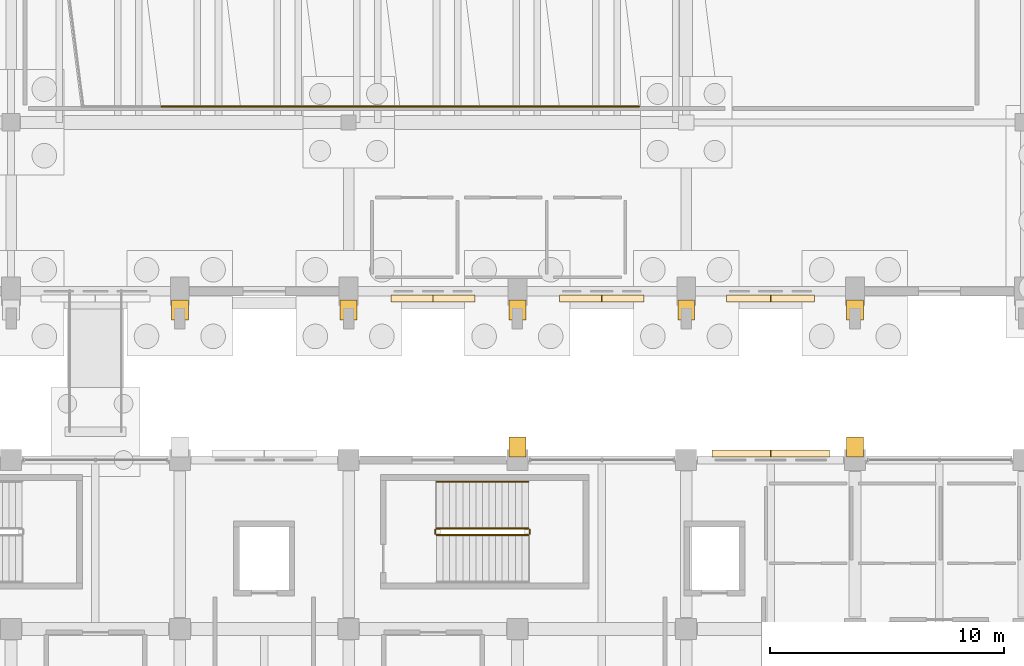
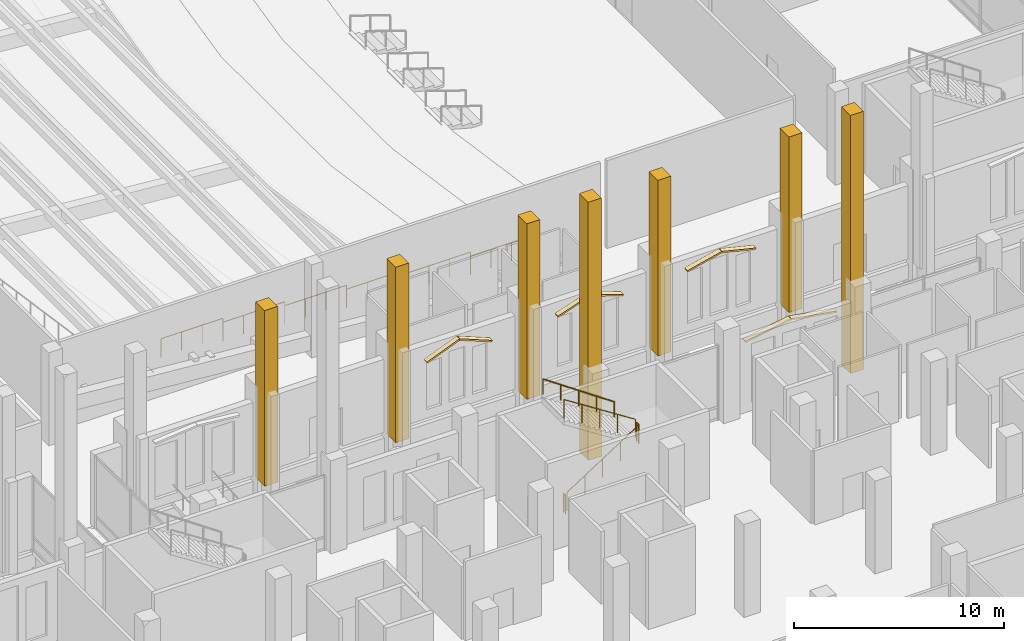
# One storey, part 180 of 192: 15 coverings, 11 railings.
"""IFC4 building model written with IfcOpenShell, lengths in metres."""

from ifc_helpers import new_model, si_unit, direction, frame, origin, origin_2d, place, context, subcontext, project, spatial, polyline, circle, outline, extrude, material, layer, layer_set, type_object, element, save


model = new_model("IFC4")

# Units and contexts
model_context = context("Model", 3, precision=1e-05, world=origin(), true_north=direction((0.0, 1.0)))
body_context = subcontext(model_context, "Body", "Model", "MODEL_VIEW")
ifc_project = project(units=[si_unit("LENGTHUNIT", "METRE"), si_unit("AREAUNIT", "SQUARE_METRE"), si_unit("VOLUMEUNIT", "CUBIC_METRE"), si_unit("PLANEANGLEUNIT", "RADIAN"), si_unit("MASSUNIT", "GRAM", prefix="KILO")], contexts=[model_context])

# Site, building, storey
site_placement = place(None, origin())
site = spatial("IfcSite", under=ifc_project, at=site_placement, CompositionType="ELEMENT")
building_placement = place(site_placement, origin())
building = spatial("IfcBuilding", under=site, at=building_placement, Name="Cendralis Lancet Convention Centre", CompositionType="ELEMENT")
storey_placement = place(building_placement, origin())
storey = spatial("IfcBuildingStorey", under=building, at=storey_placement, Name="L00", CompositionType="ELEMENT", Elevation=0.0)

# Coverings
ifc_material_1 = material(Name="Warm buff sandstone chevron cassette", Category="masonry")
ifc_layer = layer(ifc_material_1, 0.06005859375, Name="Warm buff sandstone chevron cassette")
ifc_layer_set = layer_set([ifc_layer], Name="Warm buff sandstone chevron cassette")
covering_type = type_object("IfcCoveringType", Name="ARC-CV-CLAD1", PredefinedType="CLADDING", material=ifc_layer_set)
covering_1_placement = place(storey_placement, frame((173.39990234375, 42.75, 3.469970703125), z_axis=(0.373200968371, 0.0, 0.927750525307), x_axis=(0.0, 1.0, 0.0)))
element("IfcCovering", 1, at=covering_1_placement, inside=storey, type_object=covering_type, Name="L00 Gothic Pointed Lancet Hood-Mould #0075L", PredefinedType="CLADDING", context=body_context, shape_type="SweptSolid", body=[
    extrude(outline(polyline([(0.0, 0.0), (0.284912109375, 0.0), (0.284912109375, 1.9291769425658818), (0.0, 1.9291769425658818), (0.0, 0.0)])), origin(), (0.0, 0.0, -1.0), 0.090087890625),
])
covering_2_placement = place(storey_placement, frame((171.590087890625, 42.75, 4.18994140625), z_axis=(-0.373157156168, 0.0, 0.927768148193), x_axis=(0.0, 1.0, 0.0)))
element("IfcCovering", 2, at=covering_2_placement, inside=storey, type_object=covering_type, Name="L00 Gothic Pointed Lancet Hood-Mould #0076R", PredefinedType="CLADDING", context=body_context, shape_type="SweptSolid", body=[
    extrude(outline(polyline([(0.0, 0.0), (0.284912109375, 0.0), (0.284912109375, 1.9294034463103318), (0.0, 1.9294034463103318), (0.0, 0.0)])), origin(), (0.0, 0.0, -1.0), 0.090087890625),
])
for number, where, z_axis, x_axis, name in (
    (3, (180.610107421875, 42.75, 3.6201171875), (0.318579499321, 0.0, 0.947896145478), (0.0, 1.0, 0.0), "L00 Gothic Pointed Lancet Hood-Mould #0077L"),
    (4, (178.7900390625, 42.75, 4.22509765625), (-0.318579499321, 0.0, 0.947896145478), (0.0, 1.0, 0.0), "L00 Gothic Pointed Lancet Hood-Mould #0078R"),
):
    element("IfcCovering", number, at=place(storey_placement, frame(where, z_axis=z_axis, x_axis=x_axis)), inside=storey, type_object=covering_type, Name=name, PredefinedType="CLADDING", context=body_context, shape_type="SweptSolid", body=[
        extrude(outline(polyline([(0.0, 0.0), (0.284912109375, 0.0), (0.284912109375, 1.898993720685552), (0.0, 1.898993720685552), (0.0, 0.0)])), origin(), (0.0, 0.0, -1.0), 0.090087890625),
    ])
for number, where, z_axis, x_axis, name in (
    (5, (187.8798828125, 42.75, 3.77001953125), (0.236471352874, 0.0, 0.971638461193), (0.0, 1.0, 0.0), "L00 Gothic Pointed Lancet Hood-Mould #0079L"),
    (6, (185.989990234375, 42.75, 4.22509765625), (-0.236471352874, 0.0, 0.971638461193), (0.0, 1.0, 0.0), "L00 Gothic Pointed Lancet Hood-Mould #0080R"),
):
    element("IfcCovering", number, at=place(storey_placement, frame(where, z_axis=z_axis, x_axis=x_axis)), inside=storey, type_object=covering_type, Name=name, PredefinedType="CLADDING", context=body_context, shape_type="SweptSolid", body=[
        extrude(outline(polyline([(0.0, 0.0), (0.284912109375, 0.0), (0.284912109375, 1.9244535097744275), (0.0, 1.9244535097744275), (0.0, 0.0)])), origin(), (0.0, 0.0, -1.0), 0.090087890625),
    ])
covering_3_placement = place(storey_placement, origin())
element("IfcCovering", 7, at=covering_3_placement, inside=storey, type_object=covering_type, Name="Gothic Stepped Stone Buttress Base #0037", PredefinedType="CLADDING", context=body_context, shape_type="SweptSolid", body=[
    extrude(outline(polyline([(160.43994140625, 41.97998046875), (161.159912109375, 41.97998046875), (161.159912109375, 42.830078125), (160.43994140625, 42.830078125), (160.43994140625, 41.97998046875)])), origin(), (0.0, 0.0, 1.0), 10.199951171875),
])
covering_4_placement = place(storey_placement, origin())
element("IfcCovering", 8, at=covering_4_placement, inside=storey, type_object=covering_type, Name="Gothic Stepped Stone Buttress Base #0039", PredefinedType="CLADDING", context=body_context, shape_type="SweptSolid", body=[
    extrude(outline(polyline([(167.639892578125, 41.97998046875), (168.360107421875, 41.97998046875), (168.360107421875, 42.830078125), (167.639892578125, 42.830078125), (167.639892578125, 41.97998046875)])), origin(), (0.0, 0.0, 1.0), 10.199951171875),
])
covering_5_placement = place(storey_placement, origin())
element("IfcCovering", 9, at=covering_5_placement, inside=storey, type_object=covering_type, Name="Gothic Stepped Stone Buttress Base #0041", PredefinedType="CLADDING", context=body_context, shape_type="SweptSolid", body=[
    extrude(outline(polyline([(174.840087890625, 41.97998046875), (175.56005859375, 41.97998046875), (175.56005859375, 42.830078125), (174.840087890625, 42.830078125), (174.840087890625, 41.97998046875)])), origin(), (0.0, 0.0, 1.0), 10.199951171875),
])
covering_6_placement = place(storey_placement, origin())
element("IfcCovering", 10, at=covering_6_placement, inside=storey, type_object=covering_type, Name="Gothic Stepped Stone Buttress Base #0043", PredefinedType="CLADDING", context=body_context, shape_type="SweptSolid", body=[
    extrude(outline(polyline([(182.0400390625, 41.97998046875), (182.760009765625, 41.97998046875), (182.760009765625, 42.830078125), (182.0400390625, 42.830078125), (182.0400390625, 41.97998046875)])), origin(), (0.0, 0.0, 1.0), 10.199951171875),
])
covering_7_placement = place(storey_placement, origin())
element("IfcCovering", 11, at=covering_7_placement, inside=storey, type_object=covering_type, Name="Gothic Stepped Stone Buttress Base #0045", PredefinedType="CLADDING", context=body_context, shape_type="SweptSolid", body=[
    extrude(outline(polyline([(189.239990234375, 41.97998046875), (189.9599609375, 41.97998046875), (189.9599609375, 42.830078125), (189.239990234375, 42.830078125), (189.239990234375, 41.97998046875)])), origin(), (0.0, 0.0, 1.0), 10.199951171875),
])
for number, where, z_axis, x_axis, name in (
    (12, (183.489990234375, 36.419921875, 3.89990234375), (-0.167614208001, 0.0, 0.985852665096), (0.0, -1.0, 0.0), "L00 Gothic Pointed Lancet Hood-Mould #0307L"),
    (13, (186.010009765625, 36.419921875, 4.324951171875), (0.167614208001, 0.0, 0.985852665096), (0.0, -1.0, 0.0), "L00 Gothic Pointed Lancet Hood-Mould #0308R"),
):
    element("IfcCovering", number, at=place(storey_placement, frame(where, z_axis=z_axis, x_axis=x_axis)), inside=storey, type_object=covering_type, Name=name, PredefinedType="CLADDING", context=body_context, shape_type="SweptSolid", body=[
        extrude(outline(polyline([(0.0, 0.0), (0.284912109375, 0.0), (0.284912109375, 2.535875885427052), (0.0, 2.535875885427052), (0.0, 0.0)])), origin(), (0.0, 0.0, -1.0), 0.090087890625),
    ])
covering_8_placement = place(storey_placement, origin())
element("IfcCovering", 14, at=covering_8_placement, inside=storey, type_object=covering_type, Name="Gothic Stepped Stone Buttress Base #0083", PredefinedType="CLADDING", context=body_context, shape_type="SweptSolid", body=[
    extrude(outline(polyline([(175.56005859375, 36.97998046875), (174.840087890625, 36.97998046875), (174.840087890625, 36.1298828125), (175.56005859375, 36.1298828125), (175.56005859375, 36.97998046875)])), origin(), (0.0, 0.0, 1.0), 15.0),
])
covering_9_placement = place(storey_placement, origin())
element("IfcCovering", 15, at=covering_9_placement, inside=storey, type_object=covering_type, Name="Gothic Stepped Stone Buttress Base #0084", PredefinedType="CLADDING", context=body_context, shape_type="SweptSolid", body=[
    extrude(outline(polyline([(189.9599609375, 36.97998046875), (189.239990234375, 36.97998046875), (189.239990234375, 36.1298828125), (189.9599609375, 36.1298828125), (189.9599609375, 36.97998046875)])), origin(), (0.0, 0.0, 1.0), 15.0),
])

# Railings
ifc_material_2 = material(Name="Steel S355", Category="steel")
railing_type_1 = type_object("IfcRailingType", Name="ARC-RL-CGD", PredefinedType="GUARDRAIL", material=ifc_material_2)
railing_1_placement = place(storey_placement, frame((171.75, 32.800048828125, 0.179931640625)))
element("IfcRailing", 16, at=railing_1_placement, inside=storey, type_object=railing_type_1, Name="L00 ST-14 stair guard 1", PredefinedType="GUARDRAIL", context=body_context, shape_type="SweptSolid", body=[
    extrude(circle(Radius=0.02392578125, at=origin_2d()), frame((0.0, 0.0, 1.076171875), z_axis=(0.841171666519, 0.0, 0.540768182723), x_axis=(0.0, 1.0, 0.0)), (0.0, 0.0, 1.0), 4.66015625),
    extrude(circle(Radius=0.02099609375, at=origin_2d()), origin(), (0.0, 0.0, 1.0), 1.052001953125),
    extrude(circle(Radius=0.02099609375, at=origin_2d()), frame((0.97998046875, 0.0, 0.6298828125)), (0.0, 0.0, 1.0), 1.052001953125),
    extrude(circle(Radius=0.02099609375, at=origin_2d()), frame((1.9599609375, 0.0, 1.260009765625)), (0.0, 0.0, 1.0), 1.052001953125),
    extrude(circle(Radius=0.02099609375, at=origin_2d()), frame((2.93994140625, 0.0, 1.89013671875)), (0.0, 0.0, 1.0), 1.052001953125),
    extrude(circle(Radius=0.02099609375, at=origin_2d()), frame((3.919921875, 0.0, 2.52001953125)), (0.0, 0.0, 1.0), 1.052001953125),
])
railing_2_placement = place(storey_placement, frame((175.719970703125, 32.85009765625, 2.699951171875)))
element("IfcRailing", 17, at=railing_2_placement, inside=storey, type_object=railing_type_1, Name="L00 ST-14 stair guard 2", PredefinedType="GUARDRAIL", context=body_context, shape_type="SweptSolid", body=[
    extrude(circle(Radius=0.02392578125, at=origin_2d()), frame((0.0, 0.0, 1.076171875), z_axis=(0.0, 1.0, 0.0), x_axis=(-1.0, 0.0, 0.0)), (0.0, 0.0, 1.0), 0.179931640625),
    extrude(circle(Radius=0.02099609375, at=origin_2d()), origin(), (0.0, 0.0, 1.0), 1.052001953125),
    extrude(circle(Radius=0.02099609375, at=origin_2d()), frame((0.0, 0.179931640625, 0.0)), (0.0, 0.0, 1.0), 1.052001953125),
])
railing_3_placement = place(storey_placement, frame((175.669921875, 33.080078125, 2.8798828125)))
element("IfcRailing", 18, at=railing_3_placement, inside=storey, type_object=railing_type_1, Name="L00 ST-14 stair guard 3", PredefinedType="GUARDRAIL", context=body_context, shape_type="SweptSolid", body=[
    extrude(circle(Radius=0.02392578125, at=origin_2d()), frame((0.0, 0.0, 1.076171875), z_axis=(-0.841171666519, 0.0, 0.540768182723), x_axis=(0.0, -1.0, 0.0)), (0.0, 0.0, 1.0), 4.66015625),
    extrude(circle(Radius=0.02099609375, at=origin_2d()), origin(), (0.0, 0.0, 1.0), 1.052001953125),
    extrude(circle(Radius=0.02099609375, at=origin_2d()), frame((-0.97998046875, 0.0, 0.6298828125)), (0.0, 0.0, 1.0), 1.052001953125),
    extrude(circle(Radius=0.02099609375, at=origin_2d()), frame((-1.9599609375, 0.0, 1.260009765625)), (0.0, 0.0, 1.0), 1.052001953125),
    extrude(circle(Radius=0.02099609375, at=origin_2d()), frame((-2.93994140625, 0.0, 1.89013671875)), (0.0, 0.0, 1.0), 1.052001953125),
    extrude(circle(Radius=0.02099609375, at=origin_2d()), frame((-3.919921875, 0.0, 2.52001953125)), (0.0, 0.0, 1.0), 1.052001953125),
])
railing_4_placement = place(storey_placement, frame((171.699951171875, 32.85009765625, 0.0)))
element("IfcRailing", 19, at=railing_4_placement, inside=storey, type_object=railing_type_1, Name="L00 ST-14 stair guard 4", PredefinedType="GUARDRAIL", context=body_context, shape_type="SweptSolid", body=[
    extrude(circle(Radius=0.02392578125, at=origin_2d()), frame((0.0, 0.0, 1.076171875), z_axis=(0.0, 1.0, 0.0), x_axis=(-1.0, 0.0, 0.0)), (0.0, 0.0, 1.0), 0.179931640625),
    extrude(circle(Radius=0.02099609375, at=origin_2d()), origin(), (0.0, 0.0, 1.0), 1.052001953125),
    extrude(circle(Radius=0.02099609375, at=origin_2d()), frame((0.0, 0.179931640625, 0.0)), (0.0, 0.0, 1.0), 1.052001953125),
])
railing_type_2 = type_object("IfcRailingType", Name="ARC-RL-CHR", PredefinedType="HANDRAIL", material=ifc_material_2)
railing_5_placement = place(storey_placement, frame((175.669921875, 35.080078125, 2.8798828125)))
element("IfcRailing", 20, at=railing_5_placement, inside=storey, type_object=railing_type_2, Name="L00 ST-14 stair handrail 2", PredefinedType="HANDRAIL", context=body_context, shape_type="SweptSolid", body=[
    extrude(circle(Radius=0.02392578125, at=origin_2d()), frame((0.0, 0.0, 0.8759765625), z_axis=(-0.823526770215, 0.0, 0.56727740898), x_axis=(0.0, -1.0, 0.0)), (0.0, 0.0, 1.0), 4.760009765625),
    extrude(circle(Radius=0.02099609375, at=origin_2d()), origin(), (0.0, 0.0, 1.0), 0.851806640625),
    extrude(circle(Radius=0.02099609375, at=origin_2d()), frame((-0.97998046875, 0.0, 0.675048828125)), (0.0, 0.0, 1.0), 0.851806640625),
    extrude(circle(Radius=0.02099609375, at=origin_2d()), frame((-1.9599609375, 0.0, 1.35009765625)), (0.0, 0.0, 1.0), 0.851806640625),
    extrude(circle(Radius=0.02099609375, at=origin_2d()), frame((-2.93994140625, 0.0, 2.025146484375)), (0.0, 0.0, 1.0), 0.851806640625),
    extrude(circle(Radius=0.02099609375, at=origin_2d()), frame((-3.919921875, 0.0, 2.7001953125)), (0.0, 0.0, 1.0), 0.851806640625),
])
railing_type_3 = type_object("IfcRailingType", Name="ARC-RL-IG01", PredefinedType="GUARDRAIL", material=ifc_material_2)
for number, where, name in (
    (21, (177.0, 51.080078125, 0.97998046875), "Plenary Lower Stand Side Crowd Guardrail #033"),
    (22, (173.60009765625, 51.080078125, 1.2099609375), "Plenary Lower Stand Side Crowd Guardrail #035"),
):
    element("IfcRailing", number, at=place(storey_placement, frame(where)), inside=storey, type_object=railing_type_3, Name=name, PredefinedType="GUARDRAIL", context=body_context, shape_type="SweptSolid", body=[
        extrude(circle(Radius=0.02392578125, at=origin_2d()), frame((0.0, 0.0, 1.076171875), z_axis=(1.0, 0.0, 0.0), x_axis=(0.0, 1.0, 0.0)), (0.0, 0.0, 1.0), 3.39990234375),
        extrude(circle(Radius=0.02099609375, at=origin_2d()), origin(), (0.0, 0.0, 1.0), 1.052001953125),
        extrude(circle(Radius=0.02099609375, at=origin_2d()), frame((1.13330078125, 0.0, 0.0)), (0.0, 0.0, 1.0), 1.052001953125),
        extrude(circle(Radius=0.02099609375, at=origin_2d()), frame((2.2666015625, 0.0, 0.0)), (0.0, 0.0, 1.0), 1.052001953125),
        extrude(circle(Radius=0.02099609375, at=origin_2d()), frame((3.39990234375, 0.0, 0.0)), (0.0, 0.0, 1.0), 1.052001953125),
    ])
railing_6_placement = place(storey_placement, frame((170.199951171875, 51.080078125, 1.43994140625)))
element("IfcRailing", 23, at=railing_6_placement, inside=storey, type_object=railing_type_3, Name="Plenary Lower Stand Side Crowd Guardrail #037", PredefinedType="GUARDRAIL", context=body_context, shape_type="SweptSolid", body=[
    extrude(circle(Radius=0.02392578125, at=origin_2d()), frame((0.0, 0.0, 1.076171875), z_axis=(1.0, 0.0, 0.0), x_axis=(0.0, 1.0, 0.0)), (0.0, 0.0, 1.0), 3.400146484375),
    extrude(circle(Radius=0.02099609375, at=origin_2d()), origin(), (0.0, 0.0, 1.0), 1.052001953125),
    extrude(circle(Radius=0.02099609375, at=origin_2d()), frame((1.13330078125, 0.0, 0.0)), (0.0, 0.0, 1.0), 1.052001953125),
    extrude(circle(Radius=0.02099609375, at=origin_2d()), frame((2.266845703125, 0.0, 0.0)), (0.0, 0.0, 1.0), 1.052001953125),
    extrude(circle(Radius=0.02099609375, at=origin_2d()), frame((3.400146484375, 0.0, 0.0)), (0.0, 0.0, 1.0), 1.052001953125),
])
railing_7_placement = place(storey_placement, frame((166.800048828125, 51.080078125, 1.669921875)))
element("IfcRailing", 24, at=railing_7_placement, inside=storey, type_object=railing_type_3, Name="Plenary Lower Stand Side Crowd Guardrail #039", PredefinedType="GUARDRAIL", context=body_context, shape_type="SweptSolid", body=[
    extrude(circle(Radius=0.02392578125, at=origin_2d()), frame((0.0, 0.0, 1.076171875), z_axis=(1.0, 0.0, 0.0), x_axis=(0.0, 1.0, 0.0)), (0.0, 0.0, 1.0), 3.39990234375),
    extrude(circle(Radius=0.02099609375, at=origin_2d()), origin(), (0.0, 0.0, 1.0), 1.052001953125),
    extrude(circle(Radius=0.02099609375, at=origin_2d()), frame((1.13330078125, 0.0, 0.0)), (0.0, 0.0, 1.0), 1.052001953125),
    extrude(circle(Radius=0.02099609375, at=origin_2d()), frame((2.2666015625, 0.0, 0.0)), (0.0, 0.0, 1.0), 1.052001953125),
    extrude(circle(Radius=0.02099609375, at=origin_2d()), frame((3.39990234375, 0.0, 0.0)), (0.0, 0.0, 1.0), 1.052001953125),
])
railing_8_placement = place(storey_placement, frame((163.39990234375, 51.080078125, 1.89990234375)))
element("IfcRailing", 25, at=railing_8_placement, inside=storey, type_object=railing_type_3, Name="Plenary Lower Stand Side Crowd Guardrail #041", PredefinedType="GUARDRAIL", context=body_context, shape_type="SweptSolid", body=[
    extrude(circle(Radius=0.02392578125, at=origin_2d()), frame((0.0, 0.0, 1.076171875), z_axis=(1.0, 0.0, 0.0), x_axis=(0.0, 1.0, 0.0)), (0.0, 0.0, 1.0), 3.400146484375),
    extrude(circle(Radius=0.02099609375, at=origin_2d()), origin(), (0.0, 0.0, 1.0), 1.052001953125),
    extrude(circle(Radius=0.02099609375, at=origin_2d()), frame((1.13330078125, 0.0, 0.0)), (0.0, 0.0, 1.0), 1.052001953125),
    extrude(circle(Radius=0.02099609375, at=origin_2d()), frame((2.266845703125, 0.0, 0.0)), (0.0, 0.0, 1.0), 1.052001953125),
    extrude(circle(Radius=0.02099609375, at=origin_2d()), frame((3.400146484375, 0.0, 0.0)), (0.0, 0.0, 1.0), 1.052001953125),
])
railing_9_placement = place(storey_placement, frame((160.0, 51.080078125, 2.1298828125)))
element("IfcRailing", 26, at=railing_9_placement, inside=storey, type_object=railing_type_3, Name="Plenary Lower Stand Side Crowd Guardrail #043", PredefinedType="GUARDRAIL", context=body_context, shape_type="SweptSolid", body=[
    extrude(circle(Radius=0.02392578125, at=origin_2d()), frame((0.0, 0.0, 1.076171875), z_axis=(1.0, 0.0, 0.0), x_axis=(0.0, 1.0, 0.0)), (0.0, 0.0, 1.0), 3.39990234375),
    extrude(circle(Radius=0.02099609375, at=origin_2d()), origin(), (0.0, 0.0, 1.0), 1.052001953125),
    extrude(circle(Radius=0.02099609375, at=origin_2d()), frame((1.13330078125, 0.0, 0.0)), (0.0, 0.0, 1.0), 1.052001953125),
    extrude(circle(Radius=0.02099609375, at=origin_2d()), frame((2.2666015625, 0.0, 0.0)), (0.0, 0.0, 1.0), 1.052001953125),
    extrude(circle(Radius=0.02099609375, at=origin_2d()), frame((3.39990234375, 0.0, 0.0)), (0.0, 0.0, 1.0), 1.052001953125),
])

save(model, "model.ifc")
